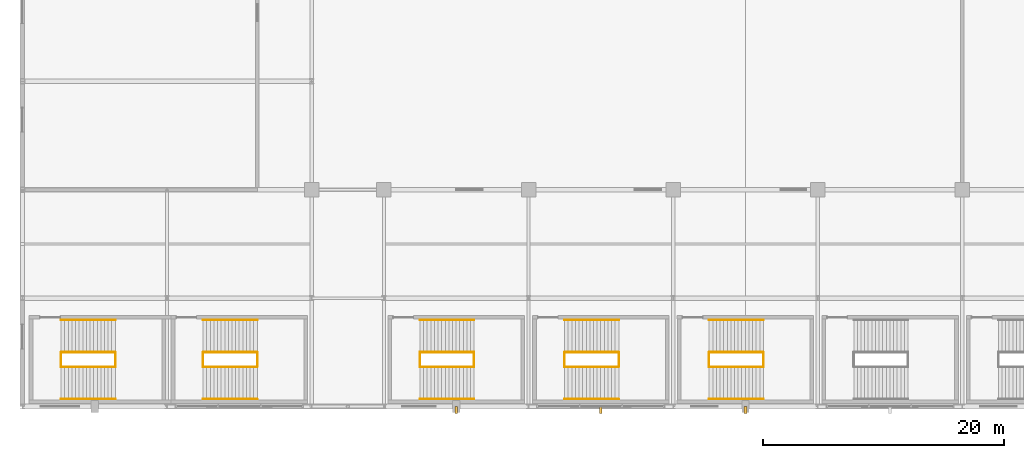
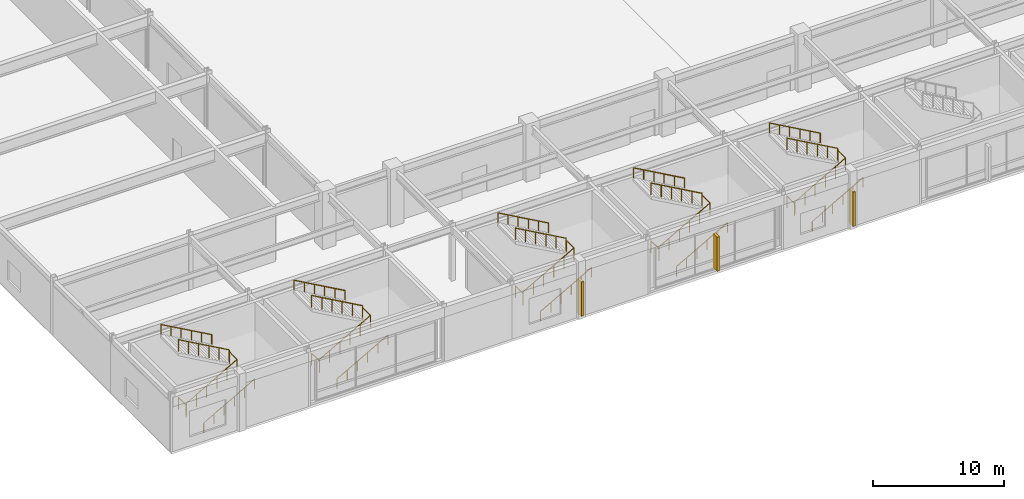
# One storey, part 92 of 100: 30 railings, 3 shading devices.
"""IFC4 building model written with IfcOpenShell, lengths in metres."""

from ifc_helpers import new_model, si_unit, direction, frame, origin, origin_2d, place, context, subcontext, project, spatial, rectangle, circle, extrude, material, type_object, element, save


model = new_model("IFC4")

# Units and contexts
model_context = context("Model", 3, precision=1e-05, world=origin(), true_north=direction((0.0, 1.0)))
body_context = subcontext(model_context, "Body", "Model", "MODEL_VIEW")
ifc_project = project(units=[si_unit("LENGTHUNIT", "METRE"), si_unit("AREAUNIT", "SQUARE_METRE"), si_unit("VOLUMEUNIT", "CUBIC_METRE"), si_unit("PLANEANGLEUNIT", "RADIAN"), si_unit("MASSUNIT", "GRAM", prefix="KILO")], contexts=[model_context])

# Site, building, storey
site_placement = place(None, origin())
site = spatial("IfcSite", under=ifc_project, at=site_placement, CompositionType="ELEMENT")
building_placement = place(site_placement, origin())
building = spatial("IfcBuilding", under=site, at=building_placement, Name="Kaldorvane Square Convention Centre", CompositionType="ELEMENT")
storey_placement = place(building_placement, frame((0.0, 0.0, 18.0)))
storey = spatial("IfcBuildingStorey", under=building, at=storey_placement, Name="L03", CompositionType="ELEMENT", Elevation=18.0)

# Railings
ifc_material_1 = material(Name="Architectural Painted Steel", Category="steel")
railing_type_1 = type_object("IfcRailingType", Name="RL-GUARD-1120", PredefinedType="BALUSTRADE", material=ifc_material_1)
for number, where, name in (
    (1, (3.2100067138671875, 3.30999755859375, 0.0), "Convention Exit Stair C1 Floor Well Guard (L03)"),
    (2, (7.7100067138671875, 3.30999755859375, 2.6999969482421875), "Convention Exit Stair C1 Half-Landing Guard (L03)"),
):
    element("IfcRailing", number, at=place(storey_placement, frame(where)), inside=storey, type_object=railing_type_1, Name=name, PredefinedType="BALUSTRADE", context=body_context, shape_type="SweptSolid", body=[
        extrude(circle(Radius=0.0240020751953125, at=origin_2d()), frame((0.0, 0.0, 1.0959930419921875), z_axis=(0.0, 1.0, 0.0), x_axis=(-1.0, 0.0, 0.0)), (0.0, 0.0, 1.0), 1.19000244140625),
        extrude(circle(Radius=0.02099609375, at=origin_2d()), origin(), (0.0, 0.0, 1.0), 1.071990966796875),
        extrude(circle(Radius=0.02099609375, at=origin_2d()), frame((0.0, 1.19000244140625, 0.0)), (0.0, 0.0, 1.0), 1.071990966796875),
    ])
railing_1_placement = place(storey_placement, frame((3.2100067138671875, 3.3000030517578125, 0.1687469482421875)))
element("IfcRailing", 3, at=railing_1_placement, inside=storey, type_object=railing_type_1, Name="Convention Exit Stair C1 Flight 1 Guard (L03)", PredefinedType="BALUSTRADE", context=body_context, shape_type="SweptSolid", body=[
    extrude(circle(Radius=0.0240020751953125, at=origin_2d()), frame((0.0, 0.0, 1.0959930419921875), z_axis=(0.871575537125, 0.0, 0.490261239633), x_axis=(0.0, 1.0, 0.0)), (0.0, 0.0, 1.0), 5.1630706787109375),
    extrude(circle(Radius=0.02099609375, at=origin_2d()), origin(), (0.0, 0.0, 1.0), 1.071990966796875),
    extrude(circle(Radius=0.02099609375, at=origin_2d()), frame((0.899993896484375, 0.0, 0.506256103515625)), (0.0, 0.0, 1.0), 1.071990966796875),
    extrude(circle(Radius=0.02099609375, at=origin_2d()), frame((1.8000030517578125, 0.0, 1.0124969482421875)), (0.0, 0.0, 1.0), 1.071990966796875),
    extrude(circle(Radius=0.02099609375, at=origin_2d()), frame((2.6999969482421875, 0.0, 1.5187530517578125)), (0.0, 0.0, 1.0), 1.071990966796875),
    extrude(circle(Radius=0.02099609375, at=origin_2d()), frame((3.600006103515625, 0.0, 2.024993896484375)), (0.0, 0.0, 1.0), 1.071990966796875),
    extrude(circle(Radius=0.02099609375, at=origin_2d()), frame((4.5, 0.0, 2.53125)), (0.0, 0.0, 1.0), 1.071990966796875),
])
railing_2_placement = place(storey_placement, frame((7.7100067138671875, 4.5099945068359375, 2.868743896484375)))
element("IfcRailing", 4, at=railing_2_placement, inside=storey, type_object=railing_type_1, Name="Convention Exit Stair C1 Flight 2 Guard (L03)", PredefinedType="BALUSTRADE", context=body_context, shape_type="SweptSolid", body=[
    extrude(circle(Radius=0.0240020751953125, at=origin_2d()), frame((0.0, 0.0, 1.0959930419921875), z_axis=(-0.871575537125, 0.0, 0.490261239633), x_axis=(0.0, -1.0, 0.0)), (0.0, 0.0, 1.0), 5.1630706787109375),
    extrude(circle(Radius=0.02099609375, at=origin_2d()), origin(), (0.0, 0.0, 1.0), 1.071990966796875),
    extrude(circle(Radius=0.02099609375, at=origin_2d()), frame((-0.899993896484375, 0.0, 0.506256103515625)), (0.0, 0.0, 1.0), 1.071990966796875),
    extrude(circle(Radius=0.02099609375, at=origin_2d()), frame((-1.8000030517578125, 0.0, 1.0124969482421875)), (0.0, 0.0, 1.0), 1.071990966796875),
    extrude(circle(Radius=0.02099609375, at=origin_2d()), frame((-2.6999969482421875, 0.0, 1.5187530517578125)), (0.0, 0.0, 1.0), 1.071990966796875),
    extrude(circle(Radius=0.02099609375, at=origin_2d()), frame((-3.600006103515625, 0.0, 2.024993896484375)), (0.0, 0.0, 1.0), 1.071990966796875),
    extrude(circle(Radius=0.02099609375, at=origin_2d()), frame((-4.5, 0.0, 2.53125)), (0.0, 0.0, 1.0), 1.071990966796875),
])
for number, where, name in (
    (5, (14.990005493164062, 3.30999755859375, 0.0), "Convention Exit Stair C2 Floor Well Guard (L03)"),
    (6, (19.490005493164062, 3.30999755859375, 2.6999969482421875), "Convention Exit Stair C2 Half-Landing Guard (L03)"),
):
    element("IfcRailing", number, at=place(storey_placement, frame(where)), inside=storey, type_object=railing_type_1, Name=name, PredefinedType="BALUSTRADE", context=body_context, shape_type="SweptSolid", body=[
        extrude(circle(Radius=0.0240020751953125, at=origin_2d()), frame((0.0, 0.0, 1.0959930419921875), z_axis=(0.0, 1.0, 0.0), x_axis=(-1.0, 0.0, 0.0)), (0.0, 0.0, 1.0), 1.19000244140625),
        extrude(circle(Radius=0.02099609375, at=origin_2d()), origin(), (0.0, 0.0, 1.0), 1.071990966796875),
        extrude(circle(Radius=0.02099609375, at=origin_2d()), frame((0.0, 1.19000244140625, 0.0)), (0.0, 0.0, 1.0), 1.071990966796875),
    ])
railing_3_placement = place(storey_placement, frame((14.990005493164062, 3.3000030517578125, 0.1687469482421875)))
element("IfcRailing", 7, at=railing_3_placement, inside=storey, type_object=railing_type_1, Name="Convention Exit Stair C2 Flight 1 Guard (L03)", PredefinedType="BALUSTRADE", context=body_context, shape_type="SweptSolid", body=[
    extrude(circle(Radius=0.0240020751953125, at=origin_2d()), frame((0.0, 0.0, 1.0959930419921875), z_axis=(0.871575537125, 0.0, 0.490261239633), x_axis=(0.0, 1.0, 0.0)), (0.0, 0.0, 1.0), 5.1630706787109375),
    extrude(circle(Radius=0.02099609375, at=origin_2d()), origin(), (0.0, 0.0, 1.0), 1.071990966796875),
    extrude(circle(Radius=0.02099609375, at=origin_2d()), frame((0.899993896484375, 0.0, 0.506256103515625)), (0.0, 0.0, 1.0), 1.071990966796875),
    extrude(circle(Radius=0.02099609375, at=origin_2d()), frame((1.8000030517578125, 0.0, 1.0124969482421875)), (0.0, 0.0, 1.0), 1.071990966796875),
    extrude(circle(Radius=0.02099609375, at=origin_2d()), frame((2.6999969482421875, 0.0, 1.5187530517578125)), (0.0, 0.0, 1.0), 1.071990966796875),
    extrude(circle(Radius=0.02099609375, at=origin_2d()), frame((3.600006103515625, 0.0, 2.024993896484375)), (0.0, 0.0, 1.0), 1.071990966796875),
    extrude(circle(Radius=0.02099609375, at=origin_2d()), frame((4.5, 0.0, 2.53125)), (0.0, 0.0, 1.0), 1.071990966796875),
])
railing_4_placement = place(storey_placement, frame((19.490005493164062, 4.5099945068359375, 2.868743896484375)))
element("IfcRailing", 8, at=railing_4_placement, inside=storey, type_object=railing_type_1, Name="Convention Exit Stair C2 Flight 2 Guard (L03)", PredefinedType="BALUSTRADE", context=body_context, shape_type="SweptSolid", body=[
    extrude(circle(Radius=0.0240020751953125, at=origin_2d()), frame((0.0, 0.0, 1.0959930419921875), z_axis=(-0.871575537125, 0.0, 0.490261239633), x_axis=(0.0, -1.0, 0.0)), (0.0, 0.0, 1.0), 5.1630706787109375),
    extrude(circle(Radius=0.02099609375, at=origin_2d()), origin(), (0.0, 0.0, 1.0), 1.071990966796875),
    extrude(circle(Radius=0.02099609375, at=origin_2d()), frame((-0.899993896484375, 0.0, 0.506256103515625)), (0.0, 0.0, 1.0), 1.071990966796875),
    extrude(circle(Radius=0.02099609375, at=origin_2d()), frame((-1.8000030517578125, 0.0, 1.0124969482421875)), (0.0, 0.0, 1.0), 1.071990966796875),
    extrude(circle(Radius=0.02099609375, at=origin_2d()), frame((-2.6999969482421875, 0.0, 1.5187530517578125)), (0.0, 0.0, 1.0), 1.071990966796875),
    extrude(circle(Radius=0.02099609375, at=origin_2d()), frame((-3.600006103515625, 0.0, 2.024993896484375)), (0.0, 0.0, 1.0), 1.071990966796875),
    extrude(circle(Radius=0.02099609375, at=origin_2d()), frame((-4.5, 0.0, 2.53125)), (0.0, 0.0, 1.0), 1.071990966796875),
])
for number, where, name in (
    (9, (32.99000549316406, 3.30999755859375, 0.0), "Convention Exit Stair C3 Floor Well Guard (L03)"),
    (10, (37.49000549316406, 3.30999755859375, 2.6999969482421875), "Convention Exit Stair C3 Half-Landing Guard (L03)"),
):
    element("IfcRailing", number, at=place(storey_placement, frame(where)), inside=storey, type_object=railing_type_1, Name=name, PredefinedType="BALUSTRADE", context=body_context, shape_type="SweptSolid", body=[
        extrude(circle(Radius=0.0240020751953125, at=origin_2d()), frame((0.0, 0.0, 1.0959930419921875), z_axis=(0.0, 1.0, 0.0), x_axis=(-1.0, 0.0, 0.0)), (0.0, 0.0, 1.0), 1.19000244140625),
        extrude(circle(Radius=0.02099609375, at=origin_2d()), origin(), (0.0, 0.0, 1.0), 1.071990966796875),
        extrude(circle(Radius=0.02099609375, at=origin_2d()), frame((0.0, 1.19000244140625, 0.0)), (0.0, 0.0, 1.0), 1.071990966796875),
    ])
railing_5_placement = place(storey_placement, frame((32.99000549316406, 3.3000030517578125, 0.1687469482421875)))
element("IfcRailing", 11, at=railing_5_placement, inside=storey, type_object=railing_type_1, Name="Convention Exit Stair C3 Flight 1 Guard (L03)", PredefinedType="BALUSTRADE", context=body_context, shape_type="SweptSolid", body=[
    extrude(circle(Radius=0.0240020751953125, at=origin_2d()), frame((0.0, 0.0, 1.0959930419921875), z_axis=(0.871575537125, 0.0, 0.490261239633), x_axis=(0.0, 1.0, 0.0)), (0.0, 0.0, 1.0), 5.1630706787109375),
    extrude(circle(Radius=0.02099609375, at=origin_2d()), origin(), (0.0, 0.0, 1.0), 1.071990966796875),
    extrude(circle(Radius=0.02099609375, at=origin_2d()), frame((0.899993896484375, 0.0, 0.506256103515625)), (0.0, 0.0, 1.0), 1.071990966796875),
    extrude(circle(Radius=0.02099609375, at=origin_2d()), frame((1.8000030517578125, 0.0, 1.0124969482421875)), (0.0, 0.0, 1.0), 1.071990966796875),
    extrude(circle(Radius=0.02099609375, at=origin_2d()), frame((2.6999969482421875, 0.0, 1.5187530517578125)), (0.0, 0.0, 1.0), 1.071990966796875),
    extrude(circle(Radius=0.02099609375, at=origin_2d()), frame((3.600006103515625, 0.0, 2.024993896484375)), (0.0, 0.0, 1.0), 1.071990966796875),
    extrude(circle(Radius=0.02099609375, at=origin_2d()), frame((4.5, 0.0, 2.53125)), (0.0, 0.0, 1.0), 1.071990966796875),
])
railing_6_placement = place(storey_placement, frame((37.49000549316406, 4.5099945068359375, 2.868743896484375)))
element("IfcRailing", 12, at=railing_6_placement, inside=storey, type_object=railing_type_1, Name="Convention Exit Stair C3 Flight 2 Guard (L03)", PredefinedType="BALUSTRADE", context=body_context, shape_type="SweptSolid", body=[
    extrude(circle(Radius=0.0240020751953125, at=origin_2d()), frame((0.0, 0.0, 1.0959930419921875), z_axis=(-0.871575537125, 0.0, 0.490261239633), x_axis=(0.0, -1.0, 0.0)), (0.0, 0.0, 1.0), 5.1630706787109375),
    extrude(circle(Radius=0.02099609375, at=origin_2d()), origin(), (0.0, 0.0, 1.0), 1.071990966796875),
    extrude(circle(Radius=0.02099609375, at=origin_2d()), frame((-0.899993896484375, 0.0, 0.506256103515625)), (0.0, 0.0, 1.0), 1.071990966796875),
    extrude(circle(Radius=0.02099609375, at=origin_2d()), frame((-1.8000030517578125, 0.0, 1.0124969482421875)), (0.0, 0.0, 1.0), 1.071990966796875),
    extrude(circle(Radius=0.02099609375, at=origin_2d()), frame((-2.6999969482421875, 0.0, 1.5187530517578125)), (0.0, 0.0, 1.0), 1.071990966796875),
    extrude(circle(Radius=0.02099609375, at=origin_2d()), frame((-3.600006103515625, 0.0, 2.024993896484375)), (0.0, 0.0, 1.0), 1.071990966796875),
    extrude(circle(Radius=0.02099609375, at=origin_2d()), frame((-4.5, 0.0, 2.53125)), (0.0, 0.0, 1.0), 1.071990966796875),
])
for number, where, name in (
    (13, (44.99000549316406, 3.30999755859375, 0.0), "Convention Exit Stair C4 Floor Well Guard (L03)"),
    (14, (49.49000549316406, 3.30999755859375, 2.6999969482421875), "Convention Exit Stair C4 Half-Landing Guard (L03)"),
):
    element("IfcRailing", number, at=place(storey_placement, frame(where)), inside=storey, type_object=railing_type_1, Name=name, PredefinedType="BALUSTRADE", context=body_context, shape_type="SweptSolid", body=[
        extrude(circle(Radius=0.0240020751953125, at=origin_2d()), frame((0.0, 0.0, 1.0959930419921875), z_axis=(0.0, 1.0, 0.0), x_axis=(-1.0, 0.0, 0.0)), (0.0, 0.0, 1.0), 1.19000244140625),
        extrude(circle(Radius=0.02099609375, at=origin_2d()), origin(), (0.0, 0.0, 1.0), 1.071990966796875),
        extrude(circle(Radius=0.02099609375, at=origin_2d()), frame((0.0, 1.19000244140625, 0.0)), (0.0, 0.0, 1.0), 1.071990966796875),
    ])
railing_7_placement = place(storey_placement, frame((44.99000549316406, 3.3000030517578125, 0.1687469482421875)))
element("IfcRailing", 15, at=railing_7_placement, inside=storey, type_object=railing_type_1, Name="Convention Exit Stair C4 Flight 1 Guard (L03)", PredefinedType="BALUSTRADE", context=body_context, shape_type="SweptSolid", body=[
    extrude(circle(Radius=0.0240020751953125, at=origin_2d()), frame((0.0, 0.0, 1.0959930419921875), z_axis=(0.871575537125, 0.0, 0.490261239633), x_axis=(0.0, 1.0, 0.0)), (0.0, 0.0, 1.0), 5.1630706787109375),
    extrude(circle(Radius=0.02099609375, at=origin_2d()), origin(), (0.0, 0.0, 1.0), 1.071990966796875),
    extrude(circle(Radius=0.02099609375, at=origin_2d()), frame((0.899993896484375, 0.0, 0.506256103515625)), (0.0, 0.0, 1.0), 1.071990966796875),
    extrude(circle(Radius=0.02099609375, at=origin_2d()), frame((1.8000030517578125, 0.0, 1.0124969482421875)), (0.0, 0.0, 1.0), 1.071990966796875),
    extrude(circle(Radius=0.02099609375, at=origin_2d()), frame((2.6999969482421875, 0.0, 1.5187530517578125)), (0.0, 0.0, 1.0), 1.071990966796875),
    extrude(circle(Radius=0.02099609375, at=origin_2d()), frame((3.600006103515625, 0.0, 2.024993896484375)), (0.0, 0.0, 1.0), 1.071990966796875),
    extrude(circle(Radius=0.02099609375, at=origin_2d()), frame((4.5, 0.0, 2.53125)), (0.0, 0.0, 1.0), 1.071990966796875),
])
railing_8_placement = place(storey_placement, frame((49.49000549316406, 4.5099945068359375, 2.868743896484375)))
element("IfcRailing", 16, at=railing_8_placement, inside=storey, type_object=railing_type_1, Name="Convention Exit Stair C4 Flight 2 Guard (L03)", PredefinedType="BALUSTRADE", context=body_context, shape_type="SweptSolid", body=[
    extrude(circle(Radius=0.0240020751953125, at=origin_2d()), frame((0.0, 0.0, 1.0959930419921875), z_axis=(-0.871575537125, 0.0, 0.490261239633), x_axis=(0.0, -1.0, 0.0)), (0.0, 0.0, 1.0), 5.1630706787109375),
    extrude(circle(Radius=0.02099609375, at=origin_2d()), origin(), (0.0, 0.0, 1.0), 1.071990966796875),
    extrude(circle(Radius=0.02099609375, at=origin_2d()), frame((-0.899993896484375, 0.0, 0.506256103515625)), (0.0, 0.0, 1.0), 1.071990966796875),
    extrude(circle(Radius=0.02099609375, at=origin_2d()), frame((-1.8000030517578125, 0.0, 1.0124969482421875)), (0.0, 0.0, 1.0), 1.071990966796875),
    extrude(circle(Radius=0.02099609375, at=origin_2d()), frame((-2.6999969482421875, 0.0, 1.5187530517578125)), (0.0, 0.0, 1.0), 1.071990966796875),
    extrude(circle(Radius=0.02099609375, at=origin_2d()), frame((-3.600006103515625, 0.0, 2.024993896484375)), (0.0, 0.0, 1.0), 1.071990966796875),
    extrude(circle(Radius=0.02099609375, at=origin_2d()), frame((-4.5, 0.0, 2.53125)), (0.0, 0.0, 1.0), 1.071990966796875),
])
for number, where, name in (
    (17, (56.99000549316406, 3.30999755859375, 0.0), "Convention Exit Stair C5 Floor Well Guard (L03)"),
    (18, (61.49000549316406, 3.30999755859375, 2.6999969482421875), "Convention Exit Stair C5 Half-Landing Guard (L03)"),
):
    element("IfcRailing", number, at=place(storey_placement, frame(where)), inside=storey, type_object=railing_type_1, Name=name, PredefinedType="BALUSTRADE", context=body_context, shape_type="SweptSolid", body=[
        extrude(circle(Radius=0.0240020751953125, at=origin_2d()), frame((0.0, 0.0, 1.0959930419921875), z_axis=(0.0, 1.0, 0.0), x_axis=(-1.0, 0.0, 0.0)), (0.0, 0.0, 1.0), 1.19000244140625),
        extrude(circle(Radius=0.02099609375, at=origin_2d()), origin(), (0.0, 0.0, 1.0), 1.071990966796875),
        extrude(circle(Radius=0.02099609375, at=origin_2d()), frame((0.0, 1.19000244140625, 0.0)), (0.0, 0.0, 1.0), 1.071990966796875),
    ])
railing_9_placement = place(storey_placement, frame((56.99000549316406, 3.3000030517578125, 0.1687469482421875)))
element("IfcRailing", 19, at=railing_9_placement, inside=storey, type_object=railing_type_1, Name="Convention Exit Stair C5 Flight 1 Guard (L03)", PredefinedType="BALUSTRADE", context=body_context, shape_type="SweptSolid", body=[
    extrude(circle(Radius=0.0240020751953125, at=origin_2d()), frame((0.0, 0.0, 1.0959930419921875), z_axis=(0.871575537125, 0.0, 0.490261239633), x_axis=(0.0, 1.0, 0.0)), (0.0, 0.0, 1.0), 5.1630706787109375),
    extrude(circle(Radius=0.02099609375, at=origin_2d()), origin(), (0.0, 0.0, 1.0), 1.071990966796875),
    extrude(circle(Radius=0.02099609375, at=origin_2d()), frame((0.899993896484375, 0.0, 0.506256103515625)), (0.0, 0.0, 1.0), 1.071990966796875),
    extrude(circle(Radius=0.02099609375, at=origin_2d()), frame((1.8000030517578125, 0.0, 1.0124969482421875)), (0.0, 0.0, 1.0), 1.071990966796875),
    extrude(circle(Radius=0.02099609375, at=origin_2d()), frame((2.6999969482421875, 0.0, 1.5187530517578125)), (0.0, 0.0, 1.0), 1.071990966796875),
    extrude(circle(Radius=0.02099609375, at=origin_2d()), frame((3.600006103515625, 0.0, 2.024993896484375)), (0.0, 0.0, 1.0), 1.071990966796875),
    extrude(circle(Radius=0.02099609375, at=origin_2d()), frame((4.5, 0.0, 2.53125)), (0.0, 0.0, 1.0), 1.071990966796875),
])
railing_10_placement = place(storey_placement, frame((61.49000549316406, 4.5099945068359375, 2.868743896484375)))
element("IfcRailing", 20, at=railing_10_placement, inside=storey, type_object=railing_type_1, Name="Convention Exit Stair C5 Flight 2 Guard (L03)", PredefinedType="BALUSTRADE", context=body_context, shape_type="SweptSolid", body=[
    extrude(circle(Radius=0.0240020751953125, at=origin_2d()), frame((0.0, 0.0, 1.0959930419921875), z_axis=(-0.871575537125, 0.0, 0.490261239633), x_axis=(0.0, -1.0, 0.0)), (0.0, 0.0, 1.0), 5.1630706787109375),
    extrude(circle(Radius=0.02099609375, at=origin_2d()), origin(), (0.0, 0.0, 1.0), 1.071990966796875),
    extrude(circle(Radius=0.02099609375, at=origin_2d()), frame((-0.899993896484375, 0.0, 0.506256103515625)), (0.0, 0.0, 1.0), 1.071990966796875),
    extrude(circle(Radius=0.02099609375, at=origin_2d()), frame((-1.8000030517578125, 0.0, 1.0124969482421875)), (0.0, 0.0, 1.0), 1.071990966796875),
    extrude(circle(Radius=0.02099609375, at=origin_2d()), frame((-2.6999969482421875, 0.0, 1.5187530517578125)), (0.0, 0.0, 1.0), 1.071990966796875),
    extrude(circle(Radius=0.02099609375, at=origin_2d()), frame((-3.600006103515625, 0.0, 2.024993896484375)), (0.0, 0.0, 1.0), 1.071990966796875),
    extrude(circle(Radius=0.02099609375, at=origin_2d()), frame((-4.5, 0.0, 2.53125)), (0.0, 0.0, 1.0), 1.071990966796875),
])
railing_type_2 = type_object("IfcRailingType", Name="RL-HAND-915", PredefinedType="HANDRAIL", material=ifc_material_1)
railing_11_placement = place(storey_placement, frame((3.2100067138671875, 0.6199951171875, 0.1687469482421875)))
element("IfcRailing", 21, at=railing_11_placement, inside=storey, type_object=railing_type_2, Name="Convention Exit Stair C1 Wall Handrail 1 (L03)", PredefinedType="HANDRAIL", context=body_context, shape_type="SweptSolid", body=[
    extrude(circle(Radius=0.0240020751953125, at=origin_2d()), frame((0.0, 0.0, 0.8909912109375), z_axis=(0.871575537125, 0.0, 0.490261239633), x_axis=(0.0, 1.0, 0.0)), (0.0, 0.0, 1.0), 5.1630706787109375),
    extrude(circle(Radius=0.02099609375, at=origin_2d()), origin(), (0.0, 0.0, 1.0), 0.8669891357421875),
    extrude(circle(Radius=0.02099609375, at=origin_2d()), frame((0.899993896484375, 0.0, 0.506256103515625)), (0.0, 0.0, 1.0), 0.8669891357421875),
    extrude(circle(Radius=0.02099609375, at=origin_2d()), frame((1.8000030517578125, 0.0, 1.0124969482421875)), (0.0, 0.0, 1.0), 0.8669891357421875),
    extrude(circle(Radius=0.02099609375, at=origin_2d()), frame((2.6999969482421875, 0.0, 1.5187530517578125)), (0.0, 0.0, 1.0), 0.8669891357421875),
    extrude(circle(Radius=0.02099609375, at=origin_2d()), frame((3.600006103515625, 0.0, 2.024993896484375)), (0.0, 0.0, 1.0), 0.8669891357421875),
    extrude(circle(Radius=0.02099609375, at=origin_2d()), frame((4.5, 0.0, 2.53125)), (0.0, 0.0, 1.0), 0.8669891357421875),
])
railing_12_placement = place(storey_placement, frame((7.7100067138671875, 7.19000244140625, 2.868743896484375)))
element("IfcRailing", 22, at=railing_12_placement, inside=storey, type_object=railing_type_2, Name="Convention Exit Stair C1 Wall Handrail 2 (L03)", PredefinedType="HANDRAIL", context=body_context, shape_type="SweptSolid", body=[
    extrude(circle(Radius=0.0240020751953125, at=origin_2d()), frame((0.0, 0.0, 0.8909912109375), z_axis=(-0.871575537125, 0.0, 0.490261239633), x_axis=(0.0, -1.0, 0.0)), (0.0, 0.0, 1.0), 5.1630706787109375),
    extrude(circle(Radius=0.02099609375, at=origin_2d()), origin(), (0.0, 0.0, 1.0), 0.8669891357421875),
    extrude(circle(Radius=0.02099609375, at=origin_2d()), frame((-0.899993896484375, 0.0, 0.506256103515625)), (0.0, 0.0, 1.0), 0.8669891357421875),
    extrude(circle(Radius=0.02099609375, at=origin_2d()), frame((-1.8000030517578125, 0.0, 1.0124969482421875)), (0.0, 0.0, 1.0), 0.8669891357421875),
    extrude(circle(Radius=0.02099609375, at=origin_2d()), frame((-2.6999969482421875, 0.0, 1.5187530517578125)), (0.0, 0.0, 1.0), 0.8669891357421875),
    extrude(circle(Radius=0.02099609375, at=origin_2d()), frame((-3.600006103515625, 0.0, 2.024993896484375)), (0.0, 0.0, 1.0), 0.8669891357421875),
    extrude(circle(Radius=0.02099609375, at=origin_2d()), frame((-4.5, 0.0, 2.53125)), (0.0, 0.0, 1.0), 0.8669891357421875),
])
railing_13_placement = place(storey_placement, frame((14.990005493164062, 0.6199951171875, 0.1687469482421875)))
element("IfcRailing", 23, at=railing_13_placement, inside=storey, type_object=railing_type_2, Name="Convention Exit Stair C2 Wall Handrail 1 (L03)", PredefinedType="HANDRAIL", context=body_context, shape_type="SweptSolid", body=[
    extrude(circle(Radius=0.0240020751953125, at=origin_2d()), frame((0.0, 0.0, 0.8909912109375), z_axis=(0.871575537125, 0.0, 0.490261239633), x_axis=(0.0, 1.0, 0.0)), (0.0, 0.0, 1.0), 5.1630706787109375),
    extrude(circle(Radius=0.02099609375, at=origin_2d()), origin(), (0.0, 0.0, 1.0), 0.8669891357421875),
    extrude(circle(Radius=0.02099609375, at=origin_2d()), frame((0.899993896484375, 0.0, 0.506256103515625)), (0.0, 0.0, 1.0), 0.8669891357421875),
    extrude(circle(Radius=0.02099609375, at=origin_2d()), frame((1.8000030517578125, 0.0, 1.0124969482421875)), (0.0, 0.0, 1.0), 0.8669891357421875),
    extrude(circle(Radius=0.02099609375, at=origin_2d()), frame((2.6999969482421875, 0.0, 1.5187530517578125)), (0.0, 0.0, 1.0), 0.8669891357421875),
    extrude(circle(Radius=0.02099609375, at=origin_2d()), frame((3.600006103515625, 0.0, 2.024993896484375)), (0.0, 0.0, 1.0), 0.8669891357421875),
    extrude(circle(Radius=0.02099609375, at=origin_2d()), frame((4.5, 0.0, 2.53125)), (0.0, 0.0, 1.0), 0.8669891357421875),
])
railing_14_placement = place(storey_placement, frame((19.490005493164062, 7.19000244140625, 2.868743896484375)))
element("IfcRailing", 24, at=railing_14_placement, inside=storey, type_object=railing_type_2, Name="Convention Exit Stair C2 Wall Handrail 2 (L03)", PredefinedType="HANDRAIL", context=body_context, shape_type="SweptSolid", body=[
    extrude(circle(Radius=0.0240020751953125, at=origin_2d()), frame((0.0, 0.0, 0.8909912109375), z_axis=(-0.871575537125, 0.0, 0.490261239633), x_axis=(0.0, -1.0, 0.0)), (0.0, 0.0, 1.0), 5.1630706787109375),
    extrude(circle(Radius=0.02099609375, at=origin_2d()), origin(), (0.0, 0.0, 1.0), 0.8669891357421875),
    extrude(circle(Radius=0.02099609375, at=origin_2d()), frame((-0.899993896484375, 0.0, 0.506256103515625)), (0.0, 0.0, 1.0), 0.8669891357421875),
    extrude(circle(Radius=0.02099609375, at=origin_2d()), frame((-1.8000030517578125, 0.0, 1.0124969482421875)), (0.0, 0.0, 1.0), 0.8669891357421875),
    extrude(circle(Radius=0.02099609375, at=origin_2d()), frame((-2.6999969482421875, 0.0, 1.5187530517578125)), (0.0, 0.0, 1.0), 0.8669891357421875),
    extrude(circle(Radius=0.02099609375, at=origin_2d()), frame((-3.600006103515625, 0.0, 2.024993896484375)), (0.0, 0.0, 1.0), 0.8669891357421875),
    extrude(circle(Radius=0.02099609375, at=origin_2d()), frame((-4.5, 0.0, 2.53125)), (0.0, 0.0, 1.0), 0.8669891357421875),
])
railing_15_placement = place(storey_placement, frame((32.99000549316406, 0.6199951171875, 0.1687469482421875)))
element("IfcRailing", 25, at=railing_15_placement, inside=storey, type_object=railing_type_2, Name="Convention Exit Stair C3 Wall Handrail 1 (L03)", PredefinedType="HANDRAIL", context=body_context, shape_type="SweptSolid", body=[
    extrude(circle(Radius=0.0240020751953125, at=origin_2d()), frame((0.0, 0.0, 0.8909912109375), z_axis=(0.871575537125, 0.0, 0.490261239633), x_axis=(0.0, 1.0, 0.0)), (0.0, 0.0, 1.0), 5.1630706787109375),
    extrude(circle(Radius=0.02099609375, at=origin_2d()), origin(), (0.0, 0.0, 1.0), 0.8669891357421875),
    extrude(circle(Radius=0.02099609375, at=origin_2d()), frame((0.899993896484375, 0.0, 0.506256103515625)), (0.0, 0.0, 1.0), 0.8669891357421875),
    extrude(circle(Radius=0.02099609375, at=origin_2d()), frame((1.8000030517578125, 0.0, 1.0124969482421875)), (0.0, 0.0, 1.0), 0.8669891357421875),
    extrude(circle(Radius=0.02099609375, at=origin_2d()), frame((2.6999969482421875, 0.0, 1.5187530517578125)), (0.0, 0.0, 1.0), 0.8669891357421875),
    extrude(circle(Radius=0.02099609375, at=origin_2d()), frame((3.600006103515625, 0.0, 2.024993896484375)), (0.0, 0.0, 1.0), 0.8669891357421875),
    extrude(circle(Radius=0.02099609375, at=origin_2d()), frame((4.5, 0.0, 2.53125)), (0.0, 0.0, 1.0), 0.8669891357421875),
])
railing_16_placement = place(storey_placement, frame((37.49000549316406, 7.19000244140625, 2.868743896484375)))
element("IfcRailing", 26, at=railing_16_placement, inside=storey, type_object=railing_type_2, Name="Convention Exit Stair C3 Wall Handrail 2 (L03)", PredefinedType="HANDRAIL", context=body_context, shape_type="SweptSolid", body=[
    extrude(circle(Radius=0.0240020751953125, at=origin_2d()), frame((0.0, 0.0, 0.8909912109375), z_axis=(-0.871575537125, 0.0, 0.490261239633), x_axis=(0.0, -1.0, 0.0)), (0.0, 0.0, 1.0), 5.1630706787109375),
    extrude(circle(Radius=0.02099609375, at=origin_2d()), origin(), (0.0, 0.0, 1.0), 0.8669891357421875),
    extrude(circle(Radius=0.02099609375, at=origin_2d()), frame((-0.899993896484375, 0.0, 0.506256103515625)), (0.0, 0.0, 1.0), 0.8669891357421875),
    extrude(circle(Radius=0.02099609375, at=origin_2d()), frame((-1.8000030517578125, 0.0, 1.0124969482421875)), (0.0, 0.0, 1.0), 0.8669891357421875),
    extrude(circle(Radius=0.02099609375, at=origin_2d()), frame((-2.6999969482421875, 0.0, 1.5187530517578125)), (0.0, 0.0, 1.0), 0.8669891357421875),
    extrude(circle(Radius=0.02099609375, at=origin_2d()), frame((-3.600006103515625, 0.0, 2.024993896484375)), (0.0, 0.0, 1.0), 0.8669891357421875),
    extrude(circle(Radius=0.02099609375, at=origin_2d()), frame((-4.5, 0.0, 2.53125)), (0.0, 0.0, 1.0), 0.8669891357421875),
])
railing_17_placement = place(storey_placement, frame((44.99000549316406, 0.6199951171875, 0.1687469482421875)))
element("IfcRailing", 27, at=railing_17_placement, inside=storey, type_object=railing_type_2, Name="Convention Exit Stair C4 Wall Handrail 1 (L03)", PredefinedType="HANDRAIL", context=body_context, shape_type="SweptSolid", body=[
    extrude(circle(Radius=0.0240020751953125, at=origin_2d()), frame((0.0, 0.0, 0.8909912109375), z_axis=(0.871575537125, 0.0, 0.490261239633), x_axis=(0.0, 1.0, 0.0)), (0.0, 0.0, 1.0), 5.1630706787109375),
    extrude(circle(Radius=0.02099609375, at=origin_2d()), origin(), (0.0, 0.0, 1.0), 0.8669891357421875),
    extrude(circle(Radius=0.02099609375, at=origin_2d()), frame((0.899993896484375, 0.0, 0.506256103515625)), (0.0, 0.0, 1.0), 0.8669891357421875),
    extrude(circle(Radius=0.02099609375, at=origin_2d()), frame((1.8000030517578125, 0.0, 1.0124969482421875)), (0.0, 0.0, 1.0), 0.8669891357421875),
    extrude(circle(Radius=0.02099609375, at=origin_2d()), frame((2.6999969482421875, 0.0, 1.5187530517578125)), (0.0, 0.0, 1.0), 0.8669891357421875),
    extrude(circle(Radius=0.02099609375, at=origin_2d()), frame((3.600006103515625, 0.0, 2.024993896484375)), (0.0, 0.0, 1.0), 0.8669891357421875),
    extrude(circle(Radius=0.02099609375, at=origin_2d()), frame((4.5, 0.0, 2.53125)), (0.0, 0.0, 1.0), 0.8669891357421875),
])
railing_18_placement = place(storey_placement, frame((49.49000549316406, 7.19000244140625, 2.868743896484375)))
element("IfcRailing", 28, at=railing_18_placement, inside=storey, type_object=railing_type_2, Name="Convention Exit Stair C4 Wall Handrail 2 (L03)", PredefinedType="HANDRAIL", context=body_context, shape_type="SweptSolid", body=[
    extrude(circle(Radius=0.0240020751953125, at=origin_2d()), frame((0.0, 0.0, 0.8909912109375), z_axis=(-0.871575537125, 0.0, 0.490261239633), x_axis=(0.0, -1.0, 0.0)), (0.0, 0.0, 1.0), 5.1630706787109375),
    extrude(circle(Radius=0.02099609375, at=origin_2d()), origin(), (0.0, 0.0, 1.0), 0.8669891357421875),
    extrude(circle(Radius=0.02099609375, at=origin_2d()), frame((-0.899993896484375, 0.0, 0.506256103515625)), (0.0, 0.0, 1.0), 0.8669891357421875),
    extrude(circle(Radius=0.02099609375, at=origin_2d()), frame((-1.8000030517578125, 0.0, 1.0124969482421875)), (0.0, 0.0, 1.0), 0.8669891357421875),
    extrude(circle(Radius=0.02099609375, at=origin_2d()), frame((-2.6999969482421875, 0.0, 1.5187530517578125)), (0.0, 0.0, 1.0), 0.8669891357421875),
    extrude(circle(Radius=0.02099609375, at=origin_2d()), frame((-3.600006103515625, 0.0, 2.024993896484375)), (0.0, 0.0, 1.0), 0.8669891357421875),
    extrude(circle(Radius=0.02099609375, at=origin_2d()), frame((-4.5, 0.0, 2.53125)), (0.0, 0.0, 1.0), 0.8669891357421875),
])
railing_19_placement = place(storey_placement, frame((56.99000549316406, 0.6199951171875, 0.1687469482421875)))
element("IfcRailing", 29, at=railing_19_placement, inside=storey, type_object=railing_type_2, Name="Convention Exit Stair C5 Wall Handrail 1 (L03)", PredefinedType="HANDRAIL", context=body_context, shape_type="SweptSolid", body=[
    extrude(circle(Radius=0.0240020751953125, at=origin_2d()), frame((0.0, 0.0, 0.8909912109375), z_axis=(0.871575537125, 0.0, 0.490261239633), x_axis=(0.0, 1.0, 0.0)), (0.0, 0.0, 1.0), 5.1630706787109375),
    extrude(circle(Radius=0.02099609375, at=origin_2d()), origin(), (0.0, 0.0, 1.0), 0.8669891357421875),
    extrude(circle(Radius=0.02099609375, at=origin_2d()), frame((0.899993896484375, 0.0, 0.506256103515625)), (0.0, 0.0, 1.0), 0.8669891357421875),
    extrude(circle(Radius=0.02099609375, at=origin_2d()), frame((1.8000030517578125, 0.0, 1.0124969482421875)), (0.0, 0.0, 1.0), 0.8669891357421875),
    extrude(circle(Radius=0.02099609375, at=origin_2d()), frame((2.6999969482421875, 0.0, 1.5187530517578125)), (0.0, 0.0, 1.0), 0.8669891357421875),
    extrude(circle(Radius=0.02099609375, at=origin_2d()), frame((3.600006103515625, 0.0, 2.024993896484375)), (0.0, 0.0, 1.0), 0.8669891357421875),
    extrude(circle(Radius=0.02099609375, at=origin_2d()), frame((4.5, 0.0, 2.53125)), (0.0, 0.0, 1.0), 0.8669891357421875),
])
railing_20_placement = place(storey_placement, frame((61.49000549316406, 7.19000244140625, 2.868743896484375)))
element("IfcRailing", 30, at=railing_20_placement, inside=storey, type_object=railing_type_2, Name="Convention Exit Stair C5 Wall Handrail 2 (L03)", PredefinedType="HANDRAIL", context=body_context, shape_type="SweptSolid", body=[
    extrude(circle(Radius=0.0240020751953125, at=origin_2d()), frame((0.0, 0.0, 0.8909912109375), z_axis=(-0.871575537125, 0.0, 0.490261239633), x_axis=(0.0, -1.0, 0.0)), (0.0, 0.0, 1.0), 5.1630706787109375),
    extrude(circle(Radius=0.02099609375, at=origin_2d()), origin(), (0.0, 0.0, 1.0), 0.8669891357421875),
    extrude(circle(Radius=0.02099609375, at=origin_2d()), frame((-0.899993896484375, 0.0, 0.506256103515625)), (0.0, 0.0, 1.0), 0.8669891357421875),
    extrude(circle(Radius=0.02099609375, at=origin_2d()), frame((-1.8000030517578125, 0.0, 1.0124969482421875)), (0.0, 0.0, 1.0), 0.8669891357421875),
    extrude(circle(Radius=0.02099609375, at=origin_2d()), frame((-2.6999969482421875, 0.0, 1.5187530517578125)), (0.0, 0.0, 1.0), 0.8669891357421875),
    extrude(circle(Radius=0.02099609375, at=origin_2d()), frame((-3.600006103515625, 0.0, 2.024993896484375)), (0.0, 0.0, 1.0), 0.8669891357421875),
    extrude(circle(Radius=0.02099609375, at=origin_2d()), frame((-4.5, 0.0, 2.53125)), (0.0, 0.0, 1.0), 0.8669891357421875),
])

# Shading devices
ifc_material_2 = material(Name="Concrete f'c = 42 MPa (Normalweight) Precast", Category="concrete")
shading_device_type = type_object("IfcShadingDeviceType", Name="SD-FIN-600", PredefinedType="SHUTTER", material=ifc_material_2)
for number, where, z_axis, x_axis, name in (
    (31, (36.0, -0.279998779296875, 0.29998779296875), (0.0, 0.0, 1.0), (1.0, 0.0, 0.0), "Brutalist Precast Solar Fin (L03)"),
    (32, (48.0, -0.279998779296875, 0.29998779296875), (0.0, 0.0, 1.0), (1.0, 0.0, 0.0), "Brutalist Precast Solar Fin (L03)"),
    (33, (60.0, -0.279998779296875, 0.29998779296875), (0.0, 0.0, 1.0), (1.0, 0.0, 0.0), "Brutalist Precast Solar Fin (L03)"),
):
    element("IfcShadingDevice", number, at=place(storey_placement, frame(where, z_axis=z_axis, x_axis=x_axis)), inside=storey, type_object=shading_device_type, Name=name, PredefinedType="SHUTTER", context=body_context, shape_type="SweptSolid", body=[
        extrude(rectangle(XDim=0.220001220703125, YDim=0.600006103515625, at=origin_2d()), origin(), (0.0, 0.0, 1.0), 3.1999969482421875),
    ])

save(model, "model.ifc")
